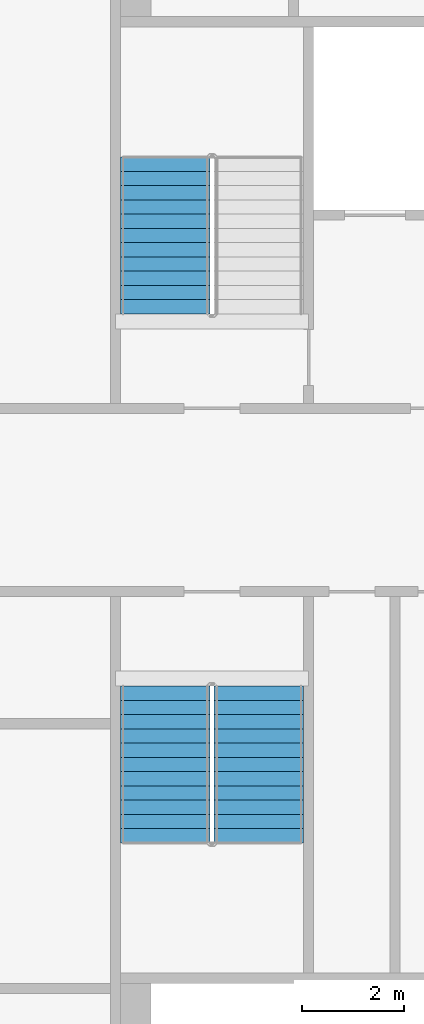
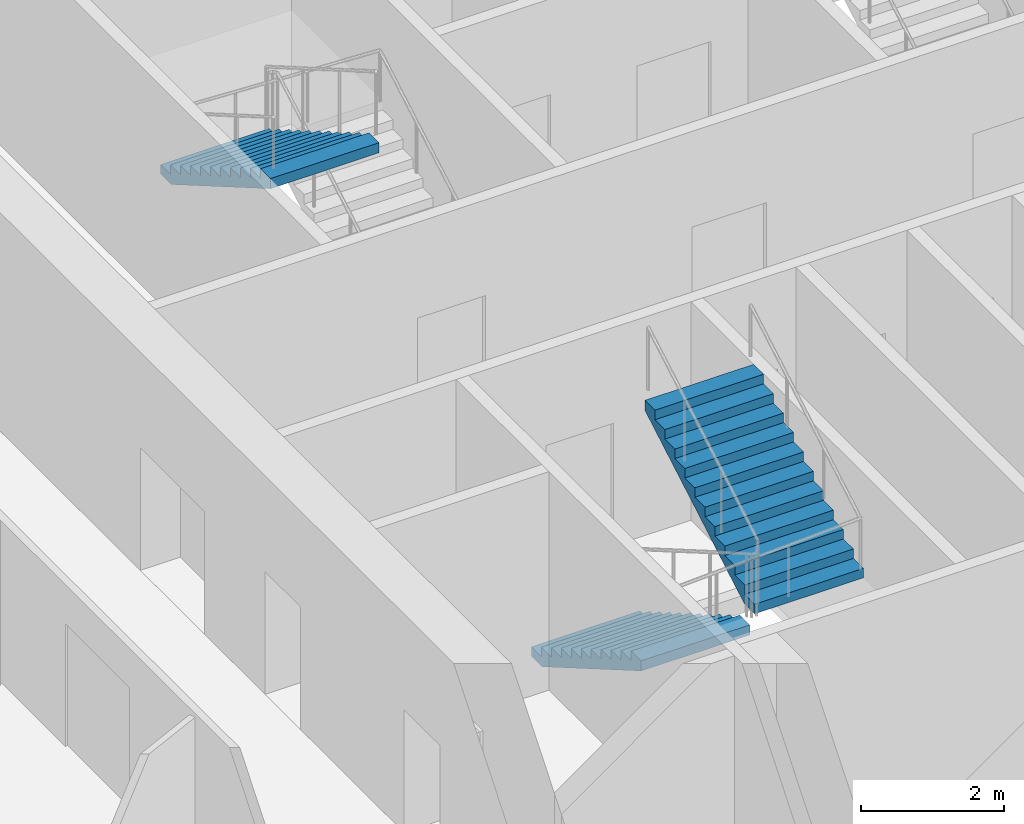
# One storey, part 8 of 15: 3 stair flights, 2 elements without a shape of their own.
"""IFC4 building model written with IfcOpenShell, lengths in metres."""

from ifc_helpers import new_model, si_unit, direction, frame, origin, place, context, subcontext, project, spatial, faceted_brep, material, type_object, element, aggregate, save


model = new_model("IFC4")

# Units and contexts
model_context = context("Model", 3, precision=1e-05, world=origin(), true_north=direction((0.0, 1.0)))
body_context = subcontext(model_context, "Body", "Model", "MODEL_VIEW")
ifc_project = project(units=[si_unit("LENGTHUNIT", "METRE"), si_unit("AREAUNIT", "SQUARE_METRE"), si_unit("VOLUMEUNIT", "CUBIC_METRE"), si_unit("PLANEANGLEUNIT", "RADIAN"), si_unit("MASSUNIT", "GRAM", prefix="KILO")], contexts=[model_context])

# Site, building, storey
site_placement = place(None, origin())
site = spatial("IfcSite", under=ifc_project, at=site_placement, CompositionType="ELEMENT")
building_placement = place(site_placement, origin())
building = spatial("IfcBuilding", under=site, at=building_placement, Name="Tarsis Ring Headquarters", CompositionType="ELEMENT")
storey_placement = place(building_placement, frame((0.0, 0.0, 167.10009765625)))
storey = spatial("IfcBuildingStorey", under=building, at=storey_placement, Name="L38", CompositionType="ELEMENT", Elevation=167.10009765625)

# Stair, stair flight
ifc_material_1 = material(Name="Core stair 1760")
stair_type = type_object("IfcStairType", Name="Core stair 1760", PredefinedType="HALF_TURN_STAIR", material=ifc_material_1)
stair_1_placement = place(storey_placement, origin())
stair_1 = element("IfcStair", 1, at=stair_1_placement, inside=storey, type_object=stair_type, Name="L38 Firefighting stair", PredefinedType="HALF_TURN_STAIR")
ifc_material_2 = material(Name="Concrete C40/50", Category="concrete")
stair_flight_type = type_object("IfcStairFlightType", Name="Core stair flight 1760", PredefinedType="STRAIGHT", material=ifc_material_2)
stair_flight_1_placement = place(storey_placement, frame((-5.419921875, 6.739990234375, 1.949951171875), z_axis=(0.0, 0.0, 1.0), x_axis=(0.0, -1.0, 0.0)))
stair_flight_1 = element("IfcStairFlight", 2, at=stair_flight_1_placement, type_object=stair_flight_type, Name="Stair ST1 flight 2", NumberOfRisers=12, NumberOfTreads=11, PredefinedType="STRAIGHT", RiserHeight=0.1625, TreadLength=0.28, context=body_context, shape_type="Brep", body=[
    faceted_brep([(0.0, 0.8798828125, 0.0), (0.0, 0.8798828125, 0.16259765625), (0.280029296875, 0.8798828125, 0.16259765625), (0.280029296875, 0.8798828125, 0.324951171875), (0.56005859375, 0.8798828125, 0.324951171875), (0.56005859375, 0.8798828125, 0.487548828125), (0.840087890625, 0.8798828125, 0.487548828125), (0.840087890625, 0.8798828125, 0.64990234375), (1.1201171875, 0.8798828125, 0.64990234375), (1.1201171875, 0.8798828125, 0.8125), (1.39990234375, 0.8798828125, 0.8125), (1.39990234375, 0.8798828125, 0.97509765625), (1.679931640625, 0.8798828125, 0.97509765625), (1.679931640625, 0.8798828125, 1.137451171875), (1.9599609375, 0.8798828125, 1.137451171875), (1.9599609375, 0.8798828125, 1.300048828125), (2.239990234375, 0.8798828125, 1.300048828125), (2.239990234375, 0.8798828125, 1.46240234375), (2.52001953125, 0.8798828125, 1.46240234375), (2.52001953125, 0.8798828125, 1.625), (2.800048828125, 0.8798828125, 1.625), (2.800048828125, 0.8798828125, 1.78759765625), (3.080078125, 0.8798828125, 1.78759765625), (3.080078125, 0.8798828125, 1.6142578125), (0.298583984375, 0.8798828125, 0.0), (0.298583984375, -0.8798828125, 0.0), (3.080078125, -0.8798828125, 1.6142578125), (3.080078125, -0.8798828125, 1.78759765625), (2.800048828125, -0.8798828125, 1.78759765625), (2.800048828125, -0.8798828125, 1.625), (2.52001953125, -0.8798828125, 1.625), (2.52001953125, -0.8798828125, 1.46240234375), (2.239990234375, -0.8798828125, 1.46240234375), (2.239990234375, -0.8798828125, 1.300048828125), (1.9599609375, -0.8798828125, 1.300048828125), (1.9599609375, -0.8798828125, 1.137451171875), (1.679931640625, -0.8798828125, 1.137451171875), (1.679931640625, -0.8798828125, 0.97509765625), (1.39990234375, -0.8798828125, 0.97509765625), (1.39990234375, -0.8798828125, 0.8125), (1.1201171875, -0.8798828125, 0.8125), (1.1201171875, -0.8798828125, 0.64990234375), (0.840087890625, -0.8798828125, 0.64990234375), (0.840087890625, -0.8798828125, 0.487548828125), (0.56005859375, -0.8798828125, 0.487548828125), (0.56005859375, -0.8798828125, 0.324951171875), (0.280029296875, -0.8798828125, 0.324951171875), (0.280029296875, -0.8798828125, 0.16259765625), (0.0, -0.8798828125, 0.16259765625), (0.0, -0.8798828125, 0.0), (0.0, -0.43994140625, 0.16259765625), (0.0, -0.43994140625, 0.0), (0.0, 0.0, 0.16259765625), (0.0, 0.0, 0.0), (0.0, 0.43994140625, 0.16259765625), (0.0, 0.43994140625, 0.0), (0.280029296875, -0.43994140625, 0.16259765625), (0.280029296875, 0.0, 0.16259765625), (0.280029296875, 0.43994140625, 0.16259765625), (0.280029296875, -0.43994140625, 0.324951171875), (0.280029296875, 0.0, 0.324951171875), (0.280029296875, 0.43994140625, 0.324951171875), (0.56005859375, -0.43994140625, 0.324951171875), (0.56005859375, 0.0, 0.324951171875), (0.56005859375, 0.43994140625, 0.324951171875), (0.56005859375, -0.43994140625, 0.487548828125), (0.56005859375, 0.0, 0.487548828125), (0.56005859375, 0.43994140625, 0.487548828125), (0.840087890625, -0.43994140625, 0.487548828125), (0.840087890625, 0.0, 0.487548828125), (0.840087890625, 0.43994140625, 0.487548828125), (0.840087890625, -0.43994140625, 0.64990234375), (0.840087890625, 0.0, 0.64990234375), (0.840087890625, 0.43994140625, 0.64990234375), (1.1201171875, -0.43994140625, 0.64990234375), (1.1201171875, 0.0, 0.64990234375), (1.1201171875, 0.43994140625, 0.64990234375), (1.1201171875, -0.43994140625, 0.8125), (1.1201171875, 0.0, 0.8125), (1.1201171875, 0.43994140625, 0.8125), (1.39990234375, -0.43994140625, 0.8125), (1.39990234375, 0.0, 0.8125), (1.39990234375, 0.43994140625, 0.8125), (1.39990234375, -0.43994140625, 0.97509765625), (1.39990234375, 0.0, 0.97509765625), (1.39990234375, 0.43994140625, 0.97509765625), (1.679931640625, -0.43994140625, 0.97509765625), (1.679931640625, 0.0, 0.97509765625), (1.679931640625, 0.43994140625, 0.97509765625), (1.679931640625, -0.43994140625, 1.137451171875), (1.679931640625, 0.0, 1.137451171875), (1.679931640625, 0.43994140625, 1.137451171875), (1.9599609375, -0.43994140625, 1.137451171875), (1.9599609375, 0.0, 1.137451171875), (1.9599609375, 0.43994140625, 1.137451171875), (1.9599609375, -0.43994140625, 1.300048828125), (1.9599609375, 0.0, 1.300048828125), (1.9599609375, 0.43994140625, 1.300048828125), (2.239990234375, -0.43994140625, 1.300048828125), (2.239990234375, 0.0, 1.300048828125), (2.239990234375, 0.43994140625, 1.300048828125), (2.239990234375, -0.43994140625, 1.46240234375), (2.239990234375, 0.0, 1.46240234375), (2.239990234375, 0.43994140625, 1.46240234375), (2.52001953125, -0.43994140625, 1.46240234375), (2.52001953125, 0.0, 1.46240234375), (2.52001953125, 0.43994140625, 1.46240234375), (2.52001953125, -0.43994140625, 1.625), (2.52001953125, 0.0, 1.625), (2.52001953125, 0.43994140625, 1.625), (2.800048828125, -0.43994140625, 1.625), (2.800048828125, 0.0, 1.625), (2.800048828125, 0.43994140625, 1.625), (2.800048828125, -0.43994140625, 1.78759765625), (2.800048828125, 0.0, 1.78759765625), (2.800048828125, 0.43994140625, 1.78759765625), (3.080078125, -0.43994140625, 1.78759765625), (3.080078125, 0.0, 1.78759765625), (3.080078125, 0.43994140625, 1.78759765625), (3.080078125, -0.43994140625, 1.6142578125), (3.080078125, 0.0, 1.6142578125), (3.080078125, 0.43994140625, 1.6142578125), (0.298583984375, -0.43994140625, 0.0), (0.298583984375, 0.0, 0.0), (0.298583984375, 0.43994140625, 0.0)], [[[0, 1, 2, 3, 4, 5, 6, 7, 8, 9, 10, 11, 12, 13, 14, 15, 16, 17, 18, 19, 20, 21, 22, 23, 24]], [[25, 26, 27, 28, 29, 30, 31, 32, 33, 34, 35, 36, 37, 38, 39, 40, 41, 42, 43, 44, 45, 46, 47, 48, 49]], [[49, 48, 50, 51]], [[51, 50, 52, 53]], [[53, 52, 54, 55]], [[55, 54, 1, 0]], [[48, 47, 56, 50]], [[50, 56, 57, 52]], [[52, 57, 58, 54]], [[54, 58, 2, 1]], [[47, 46, 59, 56]], [[56, 59, 60, 57]], [[57, 60, 61, 58]], [[58, 61, 3, 2]], [[46, 45, 62, 59]], [[59, 62, 63, 60]], [[60, 63, 64, 61]], [[61, 64, 4, 3]], [[45, 44, 65, 62]], [[62, 65, 66, 63]], [[63, 66, 67, 64]], [[64, 67, 5, 4]], [[44, 43, 68, 65]], [[65, 68, 69, 66]], [[66, 69, 70, 67]], [[67, 70, 6, 5]], [[43, 42, 71, 68]], [[68, 71, 72, 69]], [[69, 72, 73, 70]], [[70, 73, 7, 6]], [[42, 41, 74, 71]], [[71, 74, 75, 72]], [[72, 75, 76, 73]], [[73, 76, 8, 7]], [[41, 40, 77, 74]], [[74, 77, 78, 75]], [[75, 78, 79, 76]], [[76, 79, 9, 8]], [[40, 39, 80, 77]], [[77, 80, 81, 78]], [[78, 81, 82, 79]], [[79, 82, 10, 9]], [[39, 38, 83, 80]], [[80, 83, 84, 81]], [[81, 84, 85, 82]], [[82, 85, 11, 10]], [[38, 37, 86, 83]], [[83, 86, 87, 84]], [[84, 87, 88, 85]], [[85, 88, 12, 11]], [[37, 36, 89, 86]], [[86, 89, 90, 87]], [[87, 90, 91, 88]], [[88, 91, 13, 12]], [[36, 35, 92, 89]], [[89, 92, 93, 90]], [[90, 93, 94, 91]], [[91, 94, 14, 13]], [[35, 34, 95, 92]], [[92, 95, 96, 93]], [[93, 96, 97, 94]], [[94, 97, 15, 14]], [[34, 33, 98, 95]], [[95, 98, 99, 96]], [[96, 99, 100, 97]], [[97, 100, 16, 15]], [[33, 32, 101, 98]], [[98, 101, 102, 99]], [[99, 102, 103, 100]], [[100, 103, 17, 16]], [[32, 31, 104, 101]], [[101, 104, 105, 102]], [[102, 105, 106, 103]], [[103, 106, 18, 17]], [[31, 30, 107, 104]], [[104, 107, 108, 105]], [[105, 108, 109, 106]], [[106, 109, 19, 18]], [[30, 29, 110, 107]], [[107, 110, 111, 108]], [[108, 111, 112, 109]], [[109, 112, 20, 19]], [[29, 28, 113, 110]], [[110, 113, 114, 111]], [[111, 114, 115, 112]], [[112, 115, 21, 20]], [[28, 27, 116, 113]], [[113, 116, 117, 114]], [[114, 117, 118, 115]], [[115, 118, 22, 21]], [[27, 26, 119, 116]], [[116, 119, 120, 117]], [[117, 120, 121, 118]], [[118, 121, 23, 22]], [[26, 25, 122, 119]], [[119, 122, 123, 120]], [[120, 123, 124, 121]], [[121, 124, 24, 23]], [[25, 49, 51, 122]], [[122, 51, 53, 123]], [[123, 53, 55, 124]], [[124, 55, 0, 24]]]),
])
aggregate(stair_1, [stair_flight_1])

# Stair, stair flights
stair_2_placement = place(storey_placement, origin())
stair_2 = element("IfcStair", 3, at=stair_2_placement, inside=storey, type_object=stair_type, Name="L38 Exit stair C", PredefinedType="HALF_TURN_STAIR")
stair_flight_2_placement = place(storey_placement, frame((-5.419921875, -3.659912109375, 0.0), z_axis=(0.0, 0.0, 1.0), x_axis=(0.0, -1.0, 0.0)))
stair_flight_2 = element("IfcStairFlight", 4, at=stair_flight_2_placement, type_object=stair_flight_type, Name="Stair ST3 flight 1", NumberOfRisers=12, NumberOfTreads=11, PredefinedType="STRAIGHT", RiserHeight=0.1625, TreadLength=0.28, context=body_context, shape_type="Brep", body=[
    faceted_brep([(0.0, 0.8798828125, 0.0), (0.0, 0.8798828125, 0.16259765625), (0.280029296875, 0.8798828125, 0.16259765625), (0.280029296875, 0.8798828125, 0.324951171875), (0.56005859375, 0.8798828125, 0.324951171875), (0.56005859375, 0.8798828125, 0.487548828125), (0.840087890625, 0.8798828125, 0.487548828125), (0.840087890625, 0.8798828125, 0.64990234375), (1.1201171875, 0.8798828125, 0.64990234375), (1.1201171875, 0.8798828125, 0.8125), (1.39990234375, 0.8798828125, 0.8125), (1.39990234375, 0.8798828125, 0.97509765625), (1.679931640625, 0.8798828125, 0.97509765625), (1.679931640625, 0.8798828125, 1.137451171875), (1.9599609375, 0.8798828125, 1.137451171875), (1.9599609375, 0.8798828125, 1.300048828125), (2.239990234375, 0.8798828125, 1.300048828125), (2.239990234375, 0.8798828125, 1.46240234375), (2.52001953125, 0.8798828125, 1.46240234375), (2.52001953125, 0.8798828125, 1.625), (2.800048828125, 0.8798828125, 1.625), (2.800048828125, 0.8798828125, 1.78759765625), (3.080078125, 0.8798828125, 1.78759765625), (3.080078125, 0.8798828125, 1.6142578125), (0.298583984375, 0.8798828125, 0.0), (0.298583984375, -0.8798828125, 0.0), (3.080078125, -0.8798828125, 1.6142578125), (3.080078125, -0.8798828125, 1.78759765625), (2.800048828125, -0.8798828125, 1.78759765625), (2.800048828125, -0.8798828125, 1.625), (2.52001953125, -0.8798828125, 1.625), (2.52001953125, -0.8798828125, 1.46240234375), (2.239990234375, -0.8798828125, 1.46240234375), (2.239990234375, -0.8798828125, 1.300048828125), (1.9599609375, -0.8798828125, 1.300048828125), (1.9599609375, -0.8798828125, 1.137451171875), (1.679931640625, -0.8798828125, 1.137451171875), (1.679931640625, -0.8798828125, 0.97509765625), (1.39990234375, -0.8798828125, 0.97509765625), (1.39990234375, -0.8798828125, 0.8125), (1.1201171875, -0.8798828125, 0.8125), (1.1201171875, -0.8798828125, 0.64990234375), (0.840087890625, -0.8798828125, 0.64990234375), (0.840087890625, -0.8798828125, 0.487548828125), (0.56005859375, -0.8798828125, 0.487548828125), (0.56005859375, -0.8798828125, 0.324951171875), (0.280029296875, -0.8798828125, 0.324951171875), (0.280029296875, -0.8798828125, 0.16259765625), (0.0, -0.8798828125, 0.16259765625), (0.0, -0.8798828125, 0.0), (0.0, -0.43994140625, 0.16259765625), (0.0, -0.43994140625, 0.0), (0.0, 0.0, 0.16259765625), (0.0, 0.0, 0.0), (0.0, 0.43994140625, 0.16259765625), (0.0, 0.43994140625, 0.0), (0.280029296875, -0.43994140625, 0.16259765625), (0.280029296875, 0.0, 0.16259765625), (0.280029296875, 0.43994140625, 0.16259765625), (0.280029296875, -0.43994140625, 0.324951171875), (0.280029296875, 0.0, 0.324951171875), (0.280029296875, 0.43994140625, 0.324951171875), (0.56005859375, -0.43994140625, 0.324951171875), (0.56005859375, 0.0, 0.324951171875), (0.56005859375, 0.43994140625, 0.324951171875), (0.56005859375, -0.43994140625, 0.487548828125), (0.56005859375, 0.0, 0.487548828125), (0.56005859375, 0.43994140625, 0.487548828125), (0.840087890625, -0.43994140625, 0.487548828125), (0.840087890625, 0.0, 0.487548828125), (0.840087890625, 0.43994140625, 0.487548828125), (0.840087890625, -0.43994140625, 0.64990234375), (0.840087890625, 0.0, 0.64990234375), (0.840087890625, 0.43994140625, 0.64990234375), (1.1201171875, -0.43994140625, 0.64990234375), (1.1201171875, 0.0, 0.64990234375), (1.1201171875, 0.43994140625, 0.64990234375), (1.1201171875, -0.43994140625, 0.8125), (1.1201171875, 0.0, 0.8125), (1.1201171875, 0.43994140625, 0.8125), (1.39990234375, -0.43994140625, 0.8125), (1.39990234375, 0.0, 0.8125), (1.39990234375, 0.43994140625, 0.8125), (1.39990234375, -0.43994140625, 0.97509765625), (1.39990234375, 0.0, 0.97509765625), (1.39990234375, 0.43994140625, 0.97509765625), (1.679931640625, -0.43994140625, 0.97509765625), (1.679931640625, 0.0, 0.97509765625), (1.679931640625, 0.43994140625, 0.97509765625), (1.679931640625, -0.43994140625, 1.137451171875), (1.679931640625, 0.0, 1.137451171875), (1.679931640625, 0.43994140625, 1.137451171875), (1.9599609375, -0.43994140625, 1.137451171875), (1.9599609375, 0.0, 1.137451171875), (1.9599609375, 0.43994140625, 1.137451171875), (1.9599609375, -0.43994140625, 1.300048828125), (1.9599609375, 0.0, 1.300048828125), (1.9599609375, 0.43994140625, 1.300048828125), (2.239990234375, -0.43994140625, 1.300048828125), (2.239990234375, 0.0, 1.300048828125), (2.239990234375, 0.43994140625, 1.300048828125), (2.239990234375, -0.43994140625, 1.46240234375), (2.239990234375, 0.0, 1.46240234375), (2.239990234375, 0.43994140625, 1.46240234375), (2.52001953125, -0.43994140625, 1.46240234375), (2.52001953125, 0.0, 1.46240234375), (2.52001953125, 0.43994140625, 1.46240234375), (2.52001953125, -0.43994140625, 1.625), (2.52001953125, 0.0, 1.625), (2.52001953125, 0.43994140625, 1.625), (2.800048828125, -0.43994140625, 1.625), (2.800048828125, 0.0, 1.625), (2.800048828125, 0.43994140625, 1.625), (2.800048828125, -0.43994140625, 1.78759765625), (2.800048828125, 0.0, 1.78759765625), (2.800048828125, 0.43994140625, 1.78759765625), (3.080078125, -0.43994140625, 1.78759765625), (3.080078125, 0.0, 1.78759765625), (3.080078125, 0.43994140625, 1.78759765625), (3.080078125, -0.43994140625, 1.6142578125), (3.080078125, 0.0, 1.6142578125), (3.080078125, 0.43994140625, 1.6142578125), (0.298583984375, -0.43994140625, 0.0), (0.298583984375, 0.0, 0.0), (0.298583984375, 0.43994140625, 0.0)], [[[0, 1, 2, 3, 4, 5, 6, 7, 8, 9, 10, 11, 12, 13, 14, 15, 16, 17, 18, 19, 20, 21, 22, 23, 24]], [[25, 26, 27, 28, 29, 30, 31, 32, 33, 34, 35, 36, 37, 38, 39, 40, 41, 42, 43, 44, 45, 46, 47, 48, 49]], [[49, 48, 50, 51]], [[51, 50, 52, 53]], [[53, 52, 54, 55]], [[55, 54, 1, 0]], [[48, 47, 56, 50]], [[50, 56, 57, 52]], [[52, 57, 58, 54]], [[54, 58, 2, 1]], [[47, 46, 59, 56]], [[56, 59, 60, 57]], [[57, 60, 61, 58]], [[58, 61, 3, 2]], [[46, 45, 62, 59]], [[59, 62, 63, 60]], [[60, 63, 64, 61]], [[61, 64, 4, 3]], [[45, 44, 65, 62]], [[62, 65, 66, 63]], [[63, 66, 67, 64]], [[64, 67, 5, 4]], [[44, 43, 68, 65]], [[65, 68, 69, 66]], [[66, 69, 70, 67]], [[67, 70, 6, 5]], [[43, 42, 71, 68]], [[68, 71, 72, 69]], [[69, 72, 73, 70]], [[70, 73, 7, 6]], [[42, 41, 74, 71]], [[71, 74, 75, 72]], [[72, 75, 76, 73]], [[73, 76, 8, 7]], [[41, 40, 77, 74]], [[74, 77, 78, 75]], [[75, 78, 79, 76]], [[76, 79, 9, 8]], [[40, 39, 80, 77]], [[77, 80, 81, 78]], [[78, 81, 82, 79]], [[79, 82, 10, 9]], [[39, 38, 83, 80]], [[80, 83, 84, 81]], [[81, 84, 85, 82]], [[82, 85, 11, 10]], [[38, 37, 86, 83]], [[83, 86, 87, 84]], [[84, 87, 88, 85]], [[85, 88, 12, 11]], [[37, 36, 89, 86]], [[86, 89, 90, 87]], [[87, 90, 91, 88]], [[88, 91, 13, 12]], [[36, 35, 92, 89]], [[89, 92, 93, 90]], [[90, 93, 94, 91]], [[91, 94, 14, 13]], [[35, 34, 95, 92]], [[92, 95, 96, 93]], [[93, 96, 97, 94]], [[94, 97, 15, 14]], [[34, 33, 98, 95]], [[95, 98, 99, 96]], [[96, 99, 100, 97]], [[97, 100, 16, 15]], [[33, 32, 101, 98]], [[98, 101, 102, 99]], [[99, 102, 103, 100]], [[100, 103, 17, 16]], [[32, 31, 104, 101]], [[101, 104, 105, 102]], [[102, 105, 106, 103]], [[103, 106, 18, 17]], [[31, 30, 107, 104]], [[104, 107, 108, 105]], [[105, 108, 109, 106]], [[106, 109, 19, 18]], [[30, 29, 110, 107]], [[107, 110, 111, 108]], [[108, 111, 112, 109]], [[109, 112, 20, 19]], [[29, 28, 113, 110]], [[110, 113, 114, 111]], [[111, 114, 115, 112]], [[112, 115, 21, 20]], [[28, 27, 116, 113]], [[113, 116, 117, 114]], [[114, 117, 118, 115]], [[115, 118, 22, 21]], [[27, 26, 119, 116]], [[116, 119, 120, 117]], [[117, 120, 121, 118]], [[118, 121, 23, 22]], [[26, 25, 122, 119]], [[119, 122, 123, 120]], [[120, 123, 124, 121]], [[121, 124, 24, 23]], [[25, 49, 51, 122]], [[122, 51, 53, 123]], [[123, 53, 55, 124]], [[124, 55, 0, 24]]]),
])
stair_flight_3_placement = place(storey_placement, frame((-3.580078125, -6.739990234375, 1.949951171875), z_axis=(0.0, 0.0, 1.0), x_axis=(0.0, 1.0, 0.0)))
stair_flight_3 = element("IfcStairFlight", 5, at=stair_flight_3_placement, type_object=stair_flight_type, Name="Stair ST3 flight 2", NumberOfRisers=12, NumberOfTreads=11, PredefinedType="STRAIGHT", RiserHeight=0.1625, TreadLength=0.28, context=body_context, shape_type="Brep", body=[
    faceted_brep([(0.0, 0.8798828125, 0.0), (0.0, 0.8798828125, 0.16259765625), (0.280029296875, 0.8798828125, 0.16259765625), (0.280029296875, 0.8798828125, 0.324951171875), (0.56005859375, 0.8798828125, 0.324951171875), (0.56005859375, 0.8798828125, 0.487548828125), (0.840087890625, 0.8798828125, 0.487548828125), (0.840087890625, 0.8798828125, 0.64990234375), (1.1201171875, 0.8798828125, 0.64990234375), (1.1201171875, 0.8798828125, 0.8125), (1.39990234375, 0.8798828125, 0.8125), (1.39990234375, 0.8798828125, 0.97509765625), (1.679931640625, 0.8798828125, 0.97509765625), (1.679931640625, 0.8798828125, 1.137451171875), (1.9599609375, 0.8798828125, 1.137451171875), (1.9599609375, 0.8798828125, 1.300048828125), (2.239990234375, 0.8798828125, 1.300048828125), (2.239990234375, 0.8798828125, 1.46240234375), (2.52001953125, 0.8798828125, 1.46240234375), (2.52001953125, 0.8798828125, 1.625), (2.800048828125, 0.8798828125, 1.625), (2.800048828125, 0.8798828125, 1.78759765625), (3.080078125, 0.8798828125, 1.78759765625), (3.080078125, 0.8798828125, 1.6142578125), (0.298583984375, 0.8798828125, 0.0), (0.298583984375, -0.8798828125, 0.0), (3.080078125, -0.8798828125, 1.6142578125), (3.080078125, -0.8798828125, 1.78759765625), (2.800048828125, -0.8798828125, 1.78759765625), (2.800048828125, -0.8798828125, 1.625), (2.52001953125, -0.8798828125, 1.625), (2.52001953125, -0.8798828125, 1.46240234375), (2.239990234375, -0.8798828125, 1.46240234375), (2.239990234375, -0.8798828125, 1.300048828125), (1.9599609375, -0.8798828125, 1.300048828125), (1.9599609375, -0.8798828125, 1.137451171875), (1.679931640625, -0.8798828125, 1.137451171875), (1.679931640625, -0.8798828125, 0.97509765625), (1.39990234375, -0.8798828125, 0.97509765625), (1.39990234375, -0.8798828125, 0.8125), (1.1201171875, -0.8798828125, 0.8125), (1.1201171875, -0.8798828125, 0.64990234375), (0.840087890625, -0.8798828125, 0.64990234375), (0.840087890625, -0.8798828125, 0.487548828125), (0.56005859375, -0.8798828125, 0.487548828125), (0.56005859375, -0.8798828125, 0.324951171875), (0.280029296875, -0.8798828125, 0.324951171875), (0.280029296875, -0.8798828125, 0.16259765625), (0.0, -0.8798828125, 0.16259765625), (0.0, -0.8798828125, 0.0), (0.0, -0.43994140625, 0.16259765625), (0.0, -0.43994140625, 0.0), (0.0, 0.0, 0.16259765625), (0.0, 0.0, 0.0), (0.0, 0.43994140625, 0.16259765625), (0.0, 0.43994140625, 0.0), (0.280029296875, -0.43994140625, 0.16259765625), (0.280029296875, 0.0, 0.16259765625), (0.280029296875, 0.43994140625, 0.16259765625), (0.280029296875, -0.43994140625, 0.324951171875), (0.280029296875, 0.0, 0.324951171875), (0.280029296875, 0.43994140625, 0.324951171875), (0.56005859375, -0.43994140625, 0.324951171875), (0.56005859375, 0.0, 0.324951171875), (0.56005859375, 0.43994140625, 0.324951171875), (0.56005859375, -0.43994140625, 0.487548828125), (0.56005859375, 0.0, 0.487548828125), (0.56005859375, 0.43994140625, 0.487548828125), (0.840087890625, -0.43994140625, 0.487548828125), (0.840087890625, 0.0, 0.487548828125), (0.840087890625, 0.43994140625, 0.487548828125), (0.840087890625, -0.43994140625, 0.64990234375), (0.840087890625, 0.0, 0.64990234375), (0.840087890625, 0.43994140625, 0.64990234375), (1.1201171875, -0.43994140625, 0.64990234375), (1.1201171875, 0.0, 0.64990234375), (1.1201171875, 0.43994140625, 0.64990234375), (1.1201171875, -0.43994140625, 0.8125), (1.1201171875, 0.0, 0.8125), (1.1201171875, 0.43994140625, 0.8125), (1.39990234375, -0.43994140625, 0.8125), (1.39990234375, 0.0, 0.8125), (1.39990234375, 0.43994140625, 0.8125), (1.39990234375, -0.43994140625, 0.97509765625), (1.39990234375, 0.0, 0.97509765625), (1.39990234375, 0.43994140625, 0.97509765625), (1.679931640625, -0.43994140625, 0.97509765625), (1.679931640625, 0.0, 0.97509765625), (1.679931640625, 0.43994140625, 0.97509765625), (1.679931640625, -0.43994140625, 1.137451171875), (1.679931640625, 0.0, 1.137451171875), (1.679931640625, 0.43994140625, 1.137451171875), (1.9599609375, -0.43994140625, 1.137451171875), (1.9599609375, 0.0, 1.137451171875), (1.9599609375, 0.43994140625, 1.137451171875), (1.9599609375, -0.43994140625, 1.300048828125), (1.9599609375, 0.0, 1.300048828125), (1.9599609375, 0.43994140625, 1.300048828125), (2.239990234375, -0.43994140625, 1.300048828125), (2.239990234375, 0.0, 1.300048828125), (2.239990234375, 0.43994140625, 1.300048828125), (2.239990234375, -0.43994140625, 1.46240234375), (2.239990234375, 0.0, 1.46240234375), (2.239990234375, 0.43994140625, 1.46240234375), (2.52001953125, -0.43994140625, 1.46240234375), (2.52001953125, 0.0, 1.46240234375), (2.52001953125, 0.43994140625, 1.46240234375), (2.52001953125, -0.43994140625, 1.625), (2.52001953125, 0.0, 1.625), (2.52001953125, 0.43994140625, 1.625), (2.800048828125, -0.43994140625, 1.625), (2.800048828125, 0.0, 1.625), (2.800048828125, 0.43994140625, 1.625), (2.800048828125, -0.43994140625, 1.78759765625), (2.800048828125, 0.0, 1.78759765625), (2.800048828125, 0.43994140625, 1.78759765625), (3.080078125, -0.43994140625, 1.78759765625), (3.080078125, 0.0, 1.78759765625), (3.080078125, 0.43994140625, 1.78759765625), (3.080078125, -0.43994140625, 1.6142578125), (3.080078125, 0.0, 1.6142578125), (3.080078125, 0.43994140625, 1.6142578125), (0.298583984375, -0.43994140625, 0.0), (0.298583984375, 0.0, 0.0), (0.298583984375, 0.43994140625, 0.0)], [[[0, 1, 2, 3, 4, 5, 6, 7, 8, 9, 10, 11, 12, 13, 14, 15, 16, 17, 18, 19, 20, 21, 22, 23, 24]], [[25, 26, 27, 28, 29, 30, 31, 32, 33, 34, 35, 36, 37, 38, 39, 40, 41, 42, 43, 44, 45, 46, 47, 48, 49]], [[49, 48, 50, 51]], [[51, 50, 52, 53]], [[53, 52, 54, 55]], [[55, 54, 1, 0]], [[48, 47, 56, 50]], [[50, 56, 57, 52]], [[52, 57, 58, 54]], [[54, 58, 2, 1]], [[47, 46, 59, 56]], [[56, 59, 60, 57]], [[57, 60, 61, 58]], [[58, 61, 3, 2]], [[46, 45, 62, 59]], [[59, 62, 63, 60]], [[60, 63, 64, 61]], [[61, 64, 4, 3]], [[45, 44, 65, 62]], [[62, 65, 66, 63]], [[63, 66, 67, 64]], [[64, 67, 5, 4]], [[44, 43, 68, 65]], [[65, 68, 69, 66]], [[66, 69, 70, 67]], [[67, 70, 6, 5]], [[43, 42, 71, 68]], [[68, 71, 72, 69]], [[69, 72, 73, 70]], [[70, 73, 7, 6]], [[42, 41, 74, 71]], [[71, 74, 75, 72]], [[72, 75, 76, 73]], [[73, 76, 8, 7]], [[41, 40, 77, 74]], [[74, 77, 78, 75]], [[75, 78, 79, 76]], [[76, 79, 9, 8]], [[40, 39, 80, 77]], [[77, 80, 81, 78]], [[78, 81, 82, 79]], [[79, 82, 10, 9]], [[39, 38, 83, 80]], [[80, 83, 84, 81]], [[81, 84, 85, 82]], [[82, 85, 11, 10]], [[38, 37, 86, 83]], [[83, 86, 87, 84]], [[84, 87, 88, 85]], [[85, 88, 12, 11]], [[37, 36, 89, 86]], [[86, 89, 90, 87]], [[87, 90, 91, 88]], [[88, 91, 13, 12]], [[36, 35, 92, 89]], [[89, 92, 93, 90]], [[90, 93, 94, 91]], [[91, 94, 14, 13]], [[35, 34, 95, 92]], [[92, 95, 96, 93]], [[93, 96, 97, 94]], [[94, 97, 15, 14]], [[34, 33, 98, 95]], [[95, 98, 99, 96]], [[96, 99, 100, 97]], [[97, 100, 16, 15]], [[33, 32, 101, 98]], [[98, 101, 102, 99]], [[99, 102, 103, 100]], [[100, 103, 17, 16]], [[32, 31, 104, 101]], [[101, 104, 105, 102]], [[102, 105, 106, 103]], [[103, 106, 18, 17]], [[31, 30, 107, 104]], [[104, 107, 108, 105]], [[105, 108, 109, 106]], [[106, 109, 19, 18]], [[30, 29, 110, 107]], [[107, 110, 111, 108]], [[108, 111, 112, 109]], [[109, 112, 20, 19]], [[29, 28, 113, 110]], [[110, 113, 114, 111]], [[111, 114, 115, 112]], [[112, 115, 21, 20]], [[28, 27, 116, 113]], [[113, 116, 117, 114]], [[114, 117, 118, 115]], [[115, 118, 22, 21]], [[27, 26, 119, 116]], [[116, 119, 120, 117]], [[117, 120, 121, 118]], [[118, 121, 23, 22]], [[26, 25, 122, 119]], [[119, 122, 123, 120]], [[120, 123, 124, 121]], [[121, 124, 24, 23]], [[25, 49, 51, 122]], [[122, 51, 53, 123]], [[123, 53, 55, 124]], [[124, 55, 0, 24]]]),
])
aggregate(stair_2, [stair_flight_2, stair_flight_3])

save(model, "model.ifc")
